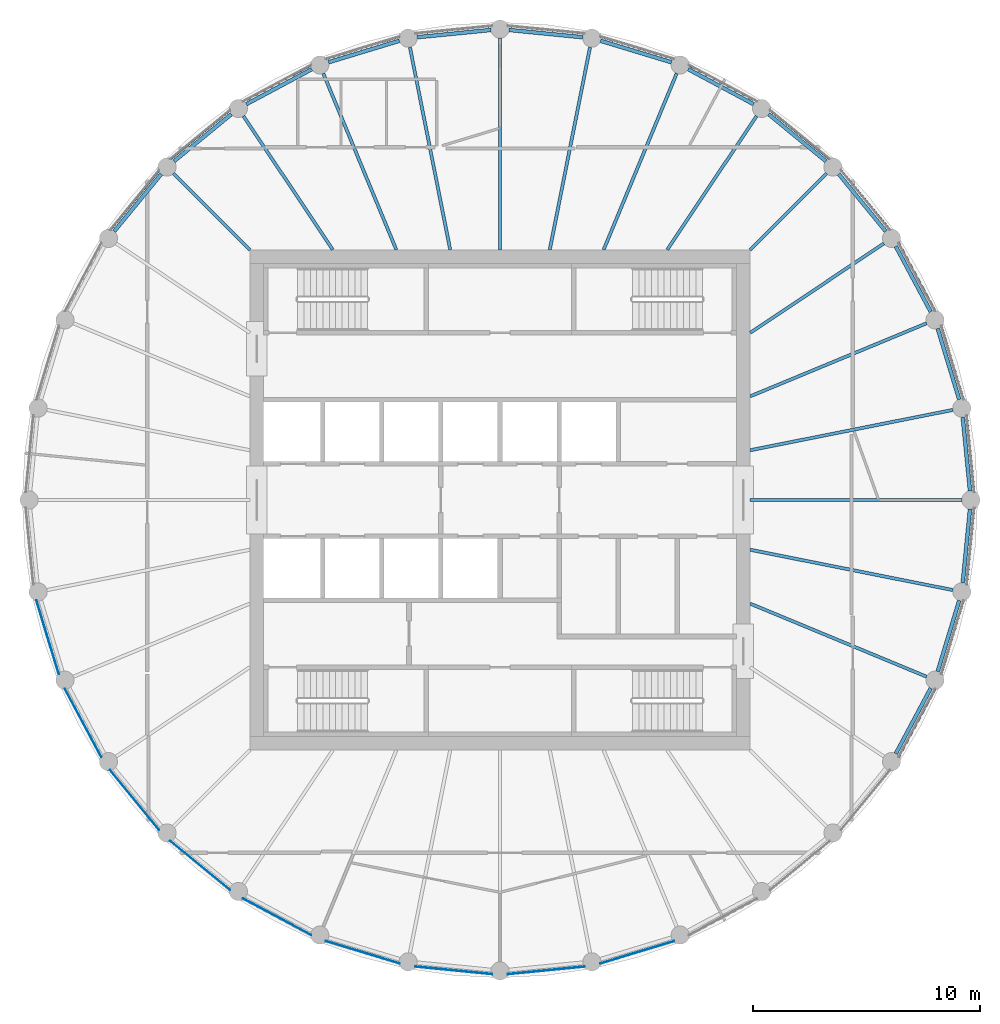
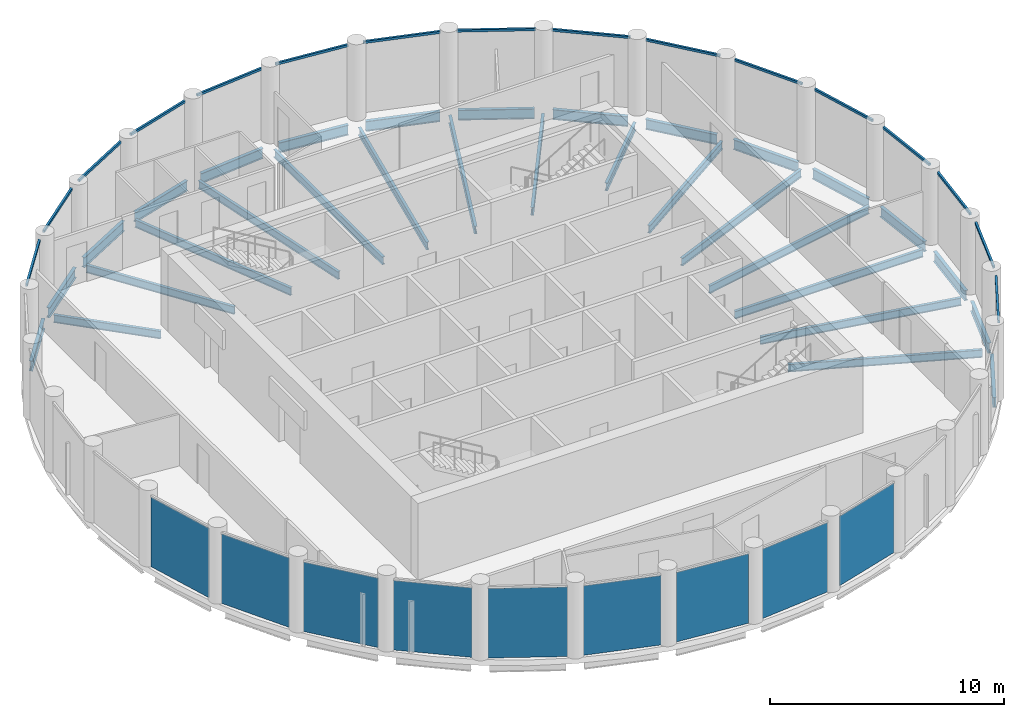
# One storey, part 2 of 7: 31 beams, 16 members, 9 plates, 25 elements without a shape of their own.
"""IFC4 building model written with IfcOpenShell, lengths in metres."""

from ifc_helpers import new_model, si_unit, direction, frame, origin, origin_2d, place, context, subcontext, project, spatial, rectangle, i_section, extrude, material, layer, layer_set, material_profile, profile_set, type_object, element, aggregate, save


model = new_model("IFC4")

# Units and contexts
model_context = context("Model", 3, precision=1e-05, world=origin(), true_north=direction((0.0, 1.0)))
body_context = subcontext(model_context, "Body", "Model", "MODEL_VIEW")
ifc_project = project(units=[si_unit("LENGTHUNIT", "METRE"), si_unit("AREAUNIT", "SQUARE_METRE"), si_unit("VOLUMEUNIT", "CUBIC_METRE"), si_unit("PLANEANGLEUNIT", "RADIAN"), si_unit("MASSUNIT", "GRAM", prefix="KILO")], contexts=[model_context])

# Site, building, storey
site_placement = place(None, origin())
site = spatial("IfcSite", under=ifc_project, at=site_placement, CompositionType="ELEMENT")
building_placement = place(site_placement, origin())
building = spatial("IfcBuilding", under=site, at=building_placement, Name="Corvane Civic Tower", CompositionType="ELEMENT")
storey_placement = place(building_placement, frame((0.0, 0.0, 364.5)))
storey = spatial("IfcBuildingStorey", under=building, at=storey_placement, Name="L87", CompositionType="ELEMENT", Elevation=364.5)

# Beams
ifc_material_1 = material(Name="Steel ASTM A992 Gr 50", Category="steel")
ifc_material_profile_1 = material_profile(ifc_material_1, i_section(OverallWidth=0.165771484375, OverallDepth=0.5283203125, WebThickness=0.009765625, FlangeThickness=0.013671875, at=origin_2d()), Name="W21X50")
ifc_profile_set_1 = profile_set([ifc_material_profile_1], Name="Steel ASTM A992 Gr 50")
beam_type_1 = type_object("IfcBeamType", Name="EDGE BEAM W21X50", PredefinedType="BEAM", material=ifc_profile_set_1)
beam_1_placement = place(storey_placement, frame((0.39794921875, 20.66064453125, -0.564208984375), z_axis=(0.995192503142, -0.097938152369, 0.0), x_axis=(0.097938152369, 0.995192503142, 0.0)))
element("IfcBeam", 1, at=beam_1_placement, inside=storey, type_object=beam_type_1, Name="BM-L87-E01", PredefinedType="BEAM", context=body_context, shape_type="SweptSolid", body=[
    extrude(i_section(OverallWidth=0.165771484375, OverallDepth=0.5283203125, WebThickness=0.009765625, FlangeThickness=0.013671875, at=origin_2d()), origin(), (0.0, 0.0, 1.0), 3.258056640625),
])
for number, where, z_axis, x_axis, name in (
    (2, (4.421142578125, 20.18603515625, -0.564208984375), (0.956955679349, -0.290234091317, 0.0), (0.290234091317, 0.956955679349, 0.0), "BM-L87-E02"),
    (3, (8.2744140625, 18.935791015625, -0.564208984375), (0.881894065907, -0.471447618, 0.0), (0.471447618, 0.881894065907, 0.0), "BM-L87-E03"),
    (4, (11.8095703125, 16.957763671875, -0.564208984375), (0.772984791903, -0.634424551454, 0.0), (0.634424551454, 0.772984791903, 0.0), "BM-L87-E04"),
    (5, (14.890869140625, 14.327880859375, -0.564208984375), (0.634424551454, -0.772984791903, 0.0), (0.772984791903, 0.634424551454, 0.0), "BM-L87-E05"),
    (6, (17.39990234375, 11.1474609375, -0.564208984375), (0.471447618, -0.881894065907, 0.0), (0.881894065907, 0.471447618, 0.0), "BM-L87-E06"),
    (7, (19.240478515625, 7.538818359375, -0.564208984375), (0.290234091317, -0.956955679349, 0.0), (0.956955679349, 0.290234091317, 0.0), "BM-L87-E07"),
):
    element("IfcBeam", number, at=place(storey_placement, frame(where, z_axis=z_axis, x_axis=x_axis)), inside=storey, type_object=beam_type_1, Name=name, PredefinedType="BEAM", context=body_context, shape_type="SweptSolid", body=[
        extrude(i_section(OverallWidth=0.165771484375, OverallDepth=0.5283203125, WebThickness=0.009765625, FlangeThickness=0.013671875, at=origin_2d()), origin(), (0.0, 0.0, 1.0), 3.2578125),
    ])
for number, where, z_axis, x_axis, name in (
    (8, (20.341552734375, 3.640380859375, -0.564208984375), (0.097938152369, -0.995192503142, 0.0), (0.995192503142, 0.097938152369, 0.0), "BM-L87-E08"),
    (9, (20.66064453125, -0.39794921875, -0.564208984375), (-0.097938152369, -0.995192503142, 0.0), (0.995192503142, -0.097938152369, 0.0), "BM-L87-E09"),
):
    element("IfcBeam", number, at=place(storey_placement, frame(where, z_axis=z_axis, x_axis=x_axis)), inside=storey, type_object=beam_type_1, Name=name, PredefinedType="BEAM", context=body_context, shape_type="SweptSolid", body=[
        extrude(i_section(OverallWidth=0.165771484375, OverallDepth=0.5283203125, WebThickness=0.009765625, FlangeThickness=0.013671875, at=origin_2d()), origin(), (0.0, 0.0, 1.0), 3.258056640625),
    ])
for number, where, z_axis, x_axis, name in (
    (10, (20.18603515625, -4.421142578125, -0.564208984375), (-0.290234091317, -0.956955679349, 0.0), (0.956955679349, -0.290234091317, 0.0), "BM-L87-E10"),
    (11, (18.935791015625, -8.2744140625, -0.564208984375), (-0.471447618, -0.881894065907, 0.0), (0.881894065907, -0.471447618, 0.0), "BM-L87-E11"),
    (12, (-16.957763671875, 11.8095703125, -0.564208984375), (0.634424551454, 0.772984791903, 0.0), (-0.772984791903, 0.634424551454, 0.0), "BM-L87-E28"),
    (13, (-14.327880859375, 14.890869140625, -0.564208984375), (0.772984791903, 0.634424551454, 0.0), (-0.634424551454, 0.772984791903, 0.0), "BM-L87-E29"),
    (14, (-11.1474609375, 17.39990234375, -0.564208984375), (0.881894065907, 0.471447618, 0.0), (-0.471447618, 0.881894065907, 0.0), "BM-L87-E30"),
    (15, (-7.538818359375, 19.240478515625, -0.564208984375), (0.956955679349, 0.290234091317, 0.0), (-0.290234091317, 0.956955679349, 0.0), "BM-L87-E31"),
):
    element("IfcBeam", number, at=place(storey_placement, frame(where, z_axis=z_axis, x_axis=x_axis)), inside=storey, type_object=beam_type_1, Name=name, PredefinedType="BEAM", context=body_context, shape_type="SweptSolid", body=[
        extrude(i_section(OverallWidth=0.165771484375, OverallDepth=0.5283203125, WebThickness=0.009765625, FlangeThickness=0.013671875, at=origin_2d()), origin(), (0.0, 0.0, 1.0), 3.2578125),
    ])
beam_2_placement = place(storey_placement, frame((-3.640380859375, 20.341552734375, -0.564208984375), z_axis=(0.995192503142, 0.097938152369, 0.0), x_axis=(-0.097938152369, 0.995192503142, 0.0)))
element("IfcBeam", 16, at=beam_2_placement, inside=storey, type_object=beam_type_1, Name="BM-L87-E32", PredefinedType="BEAM", context=body_context, shape_type="SweptSolid", body=[
    extrude(i_section(OverallWidth=0.165771484375, OverallDepth=0.5283203125, WebThickness=0.009765625, FlangeThickness=0.013671875, at=origin_2d()), origin(), (0.0, 0.0, 1.0), 3.258056640625),
])
ifc_material_2 = material(Name="Steel ASTM A992 Gr 50", Category="steel")
ifc_material_profile_2 = material_profile(ifc_material_2, i_section(OverallWidth=0.140380859375, OverallDepth=0.40380859375, WebThickness=0.007080078125, FlangeThickness=0.01123046875, at=origin_2d()), Name="W16X31")
ifc_profile_set_2 = profile_set([ifc_material_profile_2], Name="Steel ASTM A992 Gr 50")
beam_type_2 = type_object("IfcBeamType", Name="FLOOR GIRDER W16X31", PredefinedType="BEAM", material=ifc_profile_set_2)
beam_3_placement = place(storey_placement, frame((0.0, 11.0, -0.501953125), z_axis=(0.0, 1.0, 0.0), x_axis=(-1.0, 0.0, 0.0)))
element("IfcBeam", 17, at=beam_3_placement, inside=storey, type_object=beam_type_2, Name="BM-L87-G01", PredefinedType="BEAM", context=body_context, shape_type="SweptSolid", body=[
    extrude(i_section(OverallWidth=0.140380859375, OverallDepth=0.40380859375, WebThickness=0.007080078125, FlangeThickness=0.01123046875, at=origin_2d()), origin(), (0.0, 0.0, 1.0), 9.300048828125),
])
beam_4_placement = place(storey_placement, frame((2.18798828125, 11.0, -0.501953125), z_axis=(0.195108241061, 0.980781715913, 0.0), x_axis=(-0.980781715913, 0.195108241061, 0.0)))
element("IfcBeam", 18, at=beam_4_placement, inside=storey, type_object=beam_type_2, Name="BM-L87-G02", PredefinedType="BEAM", context=body_context, shape_type="SweptSolid", body=[
    extrude(i_section(OverallWidth=0.140380859375, OverallDepth=0.40380859375, WebThickness=0.007080078125, FlangeThickness=0.01123046875, at=origin_2d()), origin(), (0.0, 0.0, 1.0), 9.08447265625),
])
beam_5_placement = place(storey_placement, frame((4.556396484375, 11.0, -0.501953125), z_axis=(0.382691739894, 0.923876091377, 0.0), x_axis=(-0.923876091377, 0.382691739894, 0.0)))
element("IfcBeam", 19, at=beam_5_placement, inside=storey, type_object=beam_type_2, Name="BM-L87-G03", PredefinedType="BEAM", context=body_context, shape_type="SweptSolid", body=[
    extrude(i_section(OverallWidth=0.140380859375, OverallDepth=0.40380859375, WebThickness=0.007080078125, FlangeThickness=0.01123046875, at=origin_2d()), origin(), (0.0, 0.0, 1.0), 8.3935546875),
])
beam_6_placement = place(storey_placement, frame((7.349853515625, 11.0, -0.501953125), z_axis=(0.555576401385, 0.831465490699, 0.0), x_axis=(-0.831465490699, 0.555576401385, 0.0)))
element("IfcBeam", 20, at=beam_6_placement, inside=storey, type_object=beam_type_2, Name="BM-L87-G04", PredefinedType="BEAM", context=body_context, shape_type="SweptSolid", body=[
    extrude(i_section(OverallWidth=0.140380859375, OverallDepth=0.40380859375, WebThickness=0.007080078125, FlangeThickness=0.01123046875, at=origin_2d()), origin(), (0.0, 0.0, 1.0), 7.070556640625),
])
beam_7_placement = place(storey_placement, frame((11.0, 11.0, -0.501953125), z_axis=(0.707106781187, 0.707106781187, 0.0), x_axis=(-0.707106781187, 0.707106781187, 0.0)))
element("IfcBeam", 21, at=beam_7_placement, inside=storey, type_object=beam_type_2, Name="BM-L87-G05", PredefinedType="BEAM", context=body_context, shape_type="SweptSolid", body=[
    extrude(i_section(OverallWidth=0.140380859375, OverallDepth=0.40380859375, WebThickness=0.007080078125, FlangeThickness=0.01123046875, at=origin_2d()), origin(), (0.0, 0.0, 1.0), 4.74365234375),
])
beam_8_placement = place(storey_placement, frame((11.0, 7.349853515625, -0.501953125), z_axis=(0.831465490699, 0.555576401385, 0.0), x_axis=(-0.555576401385, 0.831465490699, 0.0)))
element("IfcBeam", 22, at=beam_8_placement, inside=storey, type_object=beam_type_2, Name="BM-L87-G06", PredefinedType="BEAM", context=body_context, shape_type="SweptSolid", body=[
    extrude(i_section(OverallWidth=0.140380859375, OverallDepth=0.40380859375, WebThickness=0.007080078125, FlangeThickness=0.01123046875, at=origin_2d()), origin(), (0.0, 0.0, 1.0), 7.070556640625),
])
beam_9_placement = place(storey_placement, frame((11.0, 4.556396484375, -0.501953125), z_axis=(0.923876091377, 0.382691739894, 0.0), x_axis=(-0.382691739894, 0.923876091377, 0.0)))
element("IfcBeam", 23, at=beam_9_placement, inside=storey, type_object=beam_type_2, Name="BM-L87-G07", PredefinedType="BEAM", context=body_context, shape_type="SweptSolid", body=[
    extrude(i_section(OverallWidth=0.140380859375, OverallDepth=0.40380859375, WebThickness=0.007080078125, FlangeThickness=0.01123046875, at=origin_2d()), origin(), (0.0, 0.0, 1.0), 8.3935546875),
])
beam_10_placement = place(storey_placement, frame((11.0, 2.18798828125, -0.501953125), z_axis=(0.980781715913, 0.195108241061, 0.0), x_axis=(-0.195108241061, 0.980781715913, 0.0)))
element("IfcBeam", 24, at=beam_10_placement, inside=storey, type_object=beam_type_2, Name="BM-L87-G08", PredefinedType="BEAM", context=body_context, shape_type="SweptSolid", body=[
    extrude(i_section(OverallWidth=0.140380859375, OverallDepth=0.40380859375, WebThickness=0.007080078125, FlangeThickness=0.01123046875, at=origin_2d()), origin(), (0.0, 0.0, 1.0), 9.08447265625),
])
beam_11_placement = place(storey_placement, frame((11.0, 0.0, -0.501953125), z_axis=(1.0, 0.0, 0.0), x_axis=(0.0, 1.0, 0.0)))
element("IfcBeam", 25, at=beam_11_placement, inside=storey, type_object=beam_type_2, Name="BM-L87-G09", PredefinedType="BEAM", context=body_context, shape_type="SweptSolid", body=[
    extrude(i_section(OverallWidth=0.140380859375, OverallDepth=0.40380859375, WebThickness=0.007080078125, FlangeThickness=0.01123046875, at=origin_2d()), origin(), (0.0, 0.0, 1.0), 9.300048828125),
])
beam_12_placement = place(storey_placement, frame((11.0, -2.18798828125, -0.501953125), z_axis=(0.980781715913, -0.195108241061, 0.0), x_axis=(0.195108241061, 0.980781715913, 0.0)))
element("IfcBeam", 26, at=beam_12_placement, inside=storey, type_object=beam_type_2, Name="BM-L87-G10", PredefinedType="BEAM", context=body_context, shape_type="SweptSolid", body=[
    extrude(i_section(OverallWidth=0.140380859375, OverallDepth=0.40380859375, WebThickness=0.007080078125, FlangeThickness=0.01123046875, at=origin_2d()), origin(), (0.0, 0.0, 1.0), 9.08447265625),
])
beam_13_placement = place(storey_placement, frame((11.0, -4.556396484375, -0.501953125), z_axis=(0.923876091377, -0.382691739894, 0.0), x_axis=(0.382691739894, 0.923876091377, 0.0)))
element("IfcBeam", 27, at=beam_13_placement, inside=storey, type_object=beam_type_2, Name="BM-L87-G11", PredefinedType="BEAM", context=body_context, shape_type="SweptSolid", body=[
    extrude(i_section(OverallWidth=0.140380859375, OverallDepth=0.40380859375, WebThickness=0.007080078125, FlangeThickness=0.01123046875, at=origin_2d()), origin(), (0.0, 0.0, 1.0), 8.3935546875),
])
beam_14_placement = place(storey_placement, frame((-11.0, 11.0, -0.501953125), z_axis=(-0.707106781187, 0.707106781187, 0.0), x_axis=(-0.707106781187, -0.707106781187, 0.0)))
element("IfcBeam", 28, at=beam_14_placement, inside=storey, type_object=beam_type_2, Name="BM-L87-G29", PredefinedType="BEAM", context=body_context, shape_type="SweptSolid", body=[
    extrude(i_section(OverallWidth=0.140380859375, OverallDepth=0.40380859375, WebThickness=0.007080078125, FlangeThickness=0.01123046875, at=origin_2d()), origin(), (0.0, 0.0, 1.0), 4.74365234375),
])
beam_15_placement = place(storey_placement, frame((-7.349853515625, 11.0, -0.501953125), z_axis=(-0.555576401385, 0.831465490699, 0.0), x_axis=(-0.831465490699, -0.555576401385, 0.0)))
element("IfcBeam", 29, at=beam_15_placement, inside=storey, type_object=beam_type_2, Name="BM-L87-G30", PredefinedType="BEAM", context=body_context, shape_type="SweptSolid", body=[
    extrude(i_section(OverallWidth=0.140380859375, OverallDepth=0.40380859375, WebThickness=0.007080078125, FlangeThickness=0.01123046875, at=origin_2d()), origin(), (0.0, 0.0, 1.0), 7.070556640625),
])
beam_16_placement = place(storey_placement, frame((-4.556396484375, 11.0, -0.501953125), z_axis=(-0.382691739894, 0.923876091377, 0.0), x_axis=(-0.923876091377, -0.382691739894, 0.0)))
element("IfcBeam", 30, at=beam_16_placement, inside=storey, type_object=beam_type_2, Name="BM-L87-G31", PredefinedType="BEAM", context=body_context, shape_type="SweptSolid", body=[
    extrude(i_section(OverallWidth=0.140380859375, OverallDepth=0.40380859375, WebThickness=0.007080078125, FlangeThickness=0.01123046875, at=origin_2d()), origin(), (0.0, 0.0, 1.0), 8.3935546875),
])
beam_17_placement = place(storey_placement, frame((-2.18798828125, 11.0, -0.501953125), z_axis=(-0.195108241061, 0.980781715913, 0.0), x_axis=(-0.980781715913, -0.195108241061, 0.0)))
element("IfcBeam", 31, at=beam_17_placement, inside=storey, type_object=beam_type_2, Name="BM-L87-G32", PredefinedType="BEAM", context=body_context, shape_type="SweptSolid", body=[
    extrude(i_section(OverallWidth=0.140380859375, OverallDepth=0.40380859375, WebThickness=0.007080078125, FlangeThickness=0.01123046875, at=origin_2d()), origin(), (0.0, 0.0, 1.0), 9.08447265625),
])

# Curtain wall, member
ifc_material_3 = material(Name="Anodised aluminium bronze", Category="aluminium")
curtain_wall_type = type_object("IfcCurtainWallType", Name="TOWER CW-T3 STICK CURTAIN WALL", PredefinedType="NOTDEFINED", material=ifc_material_3)
curtain_wall_1_placement = place(storey_placement, origin())
curtain_wall_1 = element("IfcCurtainWall", 32, at=curtain_wall_1_placement, inside=storey, type_object=curtain_wall_type, Name="Curtain wall CW-T3 L87 bay 01", PredefinedType="NOTDEFINED")
ifc_material_4 = material(Name="Anodised aluminium bronze", Category="aluminium")
ifc_material_profile_3 = material_profile(ifc_material_4, rectangle(XDim=0.10009765625, YDim=0.1201171875, at=origin_2d()), Name="TOWER CW-T3 TRANSOM 100x120")
ifc_profile_set_3 = profile_set([ifc_material_profile_3], Name="Anodised aluminium bronze")
member_type = type_object("IfcMemberType", Name="TOWER CW-T3 TRANSOM 100x120", PredefinedType="USERDEFINED", material=ifc_profile_set_3)
member_1_placement = place(storey_placement, frame((0.34375, 20.845947265625, 3.68994140625), z_axis=(0.995191564676, -0.097947688066, 0.0), x_axis=(0.097947688066, 0.995191564676, 0.0)))
member_1 = element("IfcMember", 33, at=member_1_placement, type_object=member_type, Name="Transom CW-T3 L87 01.1", ObjectType="TRANSOM", PredefinedType="USERDEFINED", context=body_context, shape_type="SweptSolid", body=[
    extrude(rectangle(XDim=0.10009765625, YDim=0.1201171875, at=origin_2d()), origin(), (0.0, 0.0, 1.0), 3.40234375),
])
aggregate(curtain_wall_1, [member_1])

curtain_wall_2_placement = place(storey_placement, origin())
curtain_wall_2 = element("IfcCurtainWall", 34, at=curtain_wall_2_placement, inside=storey, type_object=curtain_wall_type, Name="Curtain wall CW-T3 L87 bay 02", PredefinedType="NOTDEFINED")
member_2_placement = place(storey_placement, frame((4.40380859375, 20.37841796875, 3.68994140625), z_axis=(0.956961022204, -0.290216474345, 0.0), x_axis=(0.290216474345, 0.956961022204, 0.0)))
member_2 = element("IfcMember", 35, at=member_2_placement, type_object=member_type, Name="Transom CW-T3 L87 02.1", ObjectType="TRANSOM", PredefinedType="USERDEFINED", context=body_context, shape_type="SweptSolid", body=[
    extrude(rectangle(XDim=0.10009765625, YDim=0.1201171875, at=origin_2d()), origin(), (0.0, 0.0, 1.0), 3.40283203125),
])
aggregate(curtain_wall_2, [member_2])

curtain_wall_3_placement = place(storey_placement, origin())
curtain_wall_3 = element("IfcCurtainWall", 36, at=curtain_wall_3_placement, inside=storey, type_object=curtain_wall_type, Name="Curtain wall CW-T3 L87 bay 03", PredefinedType="NOTDEFINED")
member_3_placement = place(storey_placement, frame((8.294921875, 19.127685546875, 3.68994140625), z_axis=(0.881941440444, -0.471358988063, 0.0), x_axis=(0.471358988063, 0.881941440444, 0.0)))
member_3 = element("IfcMember", 37, at=member_3_placement, type_object=member_type, Name="Transom CW-T3 L87 03.1", ObjectType="TRANSOM", PredefinedType="USERDEFINED", context=body_context, shape_type="SweptSolid", body=[
    extrude(rectangle(XDim=0.10009765625, YDim=0.1201171875, at=origin_2d()), origin(), (0.0, 0.0, 1.0), 3.40234375),
])
aggregate(curtain_wall_3, [member_3])

curtain_wall_4_placement = place(storey_placement, origin())
curtain_wall_4 = element("IfcCurtainWall", 38, at=curtain_wall_4_placement, inside=storey, type_object=curtain_wall_type, Name="Curtain wall CW-T3 L87 bay 04", PredefinedType="NOTDEFINED")
member_4_placement = place(storey_placement, frame((11.8671875, 17.14208984375, 3.68994140625), z_axis=(0.773010217358, -0.634393571736, 0.0), x_axis=(0.634393571736, 0.773010217358, 0.0)))
member_4 = element("IfcMember", 39, at=member_4_placement, type_object=member_type, Name="Transom CW-T3 L87 04.1", ObjectType="TRANSOM", PredefinedType="USERDEFINED", context=body_context, shape_type="SweptSolid", body=[
    extrude(rectangle(XDim=0.10009765625, YDim=0.1201171875, at=origin_2d()), origin(), (0.0, 0.0, 1.0), 3.40283203125),
])
aggregate(curtain_wall_4, [member_4])

curtain_wall_5_placement = place(storey_placement, origin())
curtain_wall_5 = element("IfcCurtainWall", 40, at=curtain_wall_5_placement, inside=storey, type_object=curtain_wall_type, Name="Curtain wall CW-T3 L87 bay 05", PredefinedType="NOTDEFINED")
member_5_placement = place(storey_placement, frame((14.9833984375, 14.49755859375, 3.68994140625), z_axis=(0.634393571736, -0.773010217358, 0.0), x_axis=(0.773010217358, 0.634393571736, 0.0)))
member_5 = element("IfcMember", 41, at=member_5_placement, type_object=member_type, Name="Transom CW-T3 L87 05.1", ObjectType="TRANSOM", PredefinedType="USERDEFINED", context=body_context, shape_type="SweptSolid", body=[
    extrude(rectangle(XDim=0.10009765625, YDim=0.1201171875, at=origin_2d()), origin(), (0.0, 0.0, 1.0), 3.40283203125),
])
aggregate(curtain_wall_5, [member_5])

curtain_wall_6_placement = place(storey_placement, origin())
curtain_wall_6 = element("IfcCurtainWall", 42, at=curtain_wall_6_placement, inside=storey, type_object=curtain_wall_type, Name="Curtain wall CW-T3 L87 bay 06", PredefinedType="NOTDEFINED")
member_6_placement = place(storey_placement, frame((17.52392578125, 11.295654296875, 3.68994140625), z_axis=(0.471358988063, -0.881941440444, 0.0), x_axis=(0.881941440444, 0.471358988063, 0.0)))
member_6 = element("IfcMember", 43, at=member_6_placement, type_object=member_type, Name="Transom CW-T3 L87 06.1", ObjectType="TRANSOM", PredefinedType="USERDEFINED", context=body_context, shape_type="SweptSolid", body=[
    extrude(rectangle(XDim=0.10009765625, YDim=0.1201171875, at=origin_2d()), origin(), (0.0, 0.0, 1.0), 3.40234375),
])
aggregate(curtain_wall_6, [member_6])

curtain_wall_7_placement = place(storey_placement, origin())
curtain_wall_7 = element("IfcCurtainWall", 44, at=curtain_wall_7_placement, inside=storey, type_object=curtain_wall_type, Name="Curtain wall CW-T3 L87 bay 07", PredefinedType="NOTDEFINED")
member_7_placement = place(storey_placement, frame((19.390869140625, 7.66015625, 3.68994140625), z_axis=(0.290216474345, -0.956961022204, 0.0), x_axis=(0.956961022204, 0.290216474345, 0.0)))
member_7 = element("IfcMember", 45, at=member_7_placement, type_object=member_type, Name="Transom CW-T3 L87 07.1", ObjectType="TRANSOM", PredefinedType="USERDEFINED", context=body_context, shape_type="SweptSolid", body=[
    extrude(rectangle(XDim=0.10009765625, YDim=0.1201171875, at=origin_2d()), origin(), (0.0, 0.0, 1.0), 3.40283203125),
])
aggregate(curtain_wall_7, [member_7])

curtain_wall_8_placement = place(storey_placement, origin())
curtain_wall_8 = element("IfcCurtainWall", 46, at=curtain_wall_8_placement, inside=storey, type_object=curtain_wall_type, Name="Curtain wall CW-T3 L87 bay 08", PredefinedType="NOTDEFINED")
member_8_placement = place(storey_placement, frame((20.5126953125, 3.729736328125, 3.68994140625), z_axis=(0.097947688066, -0.995191564676, 0.0), x_axis=(0.995191564676, 0.097947688066, 0.0)))
member_8 = element("IfcMember", 47, at=member_8_placement, type_object=member_type, Name="Transom CW-T3 L87 08.1", ObjectType="TRANSOM", PredefinedType="USERDEFINED", context=body_context, shape_type="SweptSolid", body=[
    extrude(rectangle(XDim=0.10009765625, YDim=0.1201171875, at=origin_2d()), origin(), (0.0, 0.0, 1.0), 3.40234375),
])
aggregate(curtain_wall_8, [member_8])

curtain_wall_9_placement = place(storey_placement, origin())
curtain_wall_9 = element("IfcCurtainWall", 48, at=curtain_wall_9_placement, inside=storey, type_object=curtain_wall_type, Name="Curtain wall CW-T3 L87 bay 09", PredefinedType="NOTDEFINED")
member_9_placement = place(storey_placement, frame((20.845947265625, -0.34375, 3.68994140625), z_axis=(-0.097947688066, -0.995191564676, 0.0), x_axis=(0.995191564676, -0.097947688066, 0.0)))
member_9 = element("IfcMember", 49, at=member_9_placement, type_object=member_type, Name="Transom CW-T3 L87 09.1", ObjectType="TRANSOM", PredefinedType="USERDEFINED", context=body_context, shape_type="SweptSolid", body=[
    extrude(rectangle(XDim=0.10009765625, YDim=0.1201171875, at=origin_2d()), origin(), (0.0, 0.0, 1.0), 3.40234375),
])
aggregate(curtain_wall_9, [member_9])

curtain_wall_10_placement = place(storey_placement, origin())
curtain_wall_10 = element("IfcCurtainWall", 50, at=curtain_wall_10_placement, inside=storey, type_object=curtain_wall_type, Name="Curtain wall CW-T3 L87 bay 10", PredefinedType="NOTDEFINED")
member_10_placement = place(storey_placement, frame((20.37841796875, -4.40380859375, 3.68994140625), z_axis=(-0.290216474345, -0.956961022204, 0.0), x_axis=(0.956961022204, -0.290216474345, 0.0)))
member_10 = element("IfcMember", 51, at=member_10_placement, type_object=member_type, Name="Transom CW-T3 L87 10.1", ObjectType="TRANSOM", PredefinedType="USERDEFINED", context=body_context, shape_type="SweptSolid", body=[
    extrude(rectangle(XDim=0.10009765625, YDim=0.1201171875, at=origin_2d()), origin(), (0.0, 0.0, 1.0), 3.40283203125),
])
aggregate(curtain_wall_10, [member_10])

curtain_wall_11_placement = place(storey_placement, origin())
curtain_wall_11 = element("IfcCurtainWall", 52, at=curtain_wall_11_placement, inside=storey, type_object=curtain_wall_type, Name="Curtain wall CW-T3 L87 bay 11", PredefinedType="NOTDEFINED")
member_11_placement = place(storey_placement, frame((19.127685546875, -8.294921875, 3.68994140625), z_axis=(-0.471358988063, -0.881941440444, 0.0), x_axis=(0.881941440444, -0.471358988063, 0.0)))
member_11 = element("IfcMember", 53, at=member_11_placement, type_object=member_type, Name="Transom CW-T3 L87 11.1", ObjectType="TRANSOM", PredefinedType="USERDEFINED", context=body_context, shape_type="SweptSolid", body=[
    extrude(rectangle(XDim=0.10009765625, YDim=0.1201171875, at=origin_2d()), origin(), (0.0, 0.0, 1.0), 3.40234375),
])
aggregate(curtain_wall_11, [member_11])

curtain_wall_12_placement = place(storey_placement, origin())
curtain_wall_12 = element("IfcCurtainWall", 54, at=curtain_wall_12_placement, inside=storey, type_object=curtain_wall_type, Name="Curtain wall CW-T3 L87 bay 28", PredefinedType="NOTDEFINED")
member_12_placement = place(storey_placement, frame((-17.14208984375, 11.8671875, 3.68994140625), z_axis=(0.634393571736, 0.773010217358, 0.0), x_axis=(-0.773010217358, 0.634393571736, 0.0)))
member_12 = element("IfcMember", 55, at=member_12_placement, type_object=member_type, Name="Transom CW-T3 L87 28.1", ObjectType="TRANSOM", PredefinedType="USERDEFINED", context=body_context, shape_type="SweptSolid", body=[
    extrude(rectangle(XDim=0.10009765625, YDim=0.1201171875, at=origin_2d()), origin(), (0.0, 0.0, 1.0), 3.40283203125),
])
aggregate(curtain_wall_12, [member_12])

curtain_wall_13_placement = place(storey_placement, origin())
curtain_wall_13 = element("IfcCurtainWall", 56, at=curtain_wall_13_placement, inside=storey, type_object=curtain_wall_type, Name="Curtain wall CW-T3 L87 bay 29", PredefinedType="NOTDEFINED")
member_13_placement = place(storey_placement, frame((-14.49755859375, 14.9833984375, 3.68994140625), z_axis=(0.773010217358, 0.634393571736, 0.0), x_axis=(-0.634393571736, 0.773010217358, 0.0)))
member_13 = element("IfcMember", 57, at=member_13_placement, type_object=member_type, Name="Transom CW-T3 L87 29.1", ObjectType="TRANSOM", PredefinedType="USERDEFINED", context=body_context, shape_type="SweptSolid", body=[
    extrude(rectangle(XDim=0.10009765625, YDim=0.1201171875, at=origin_2d()), origin(), (0.0, 0.0, 1.0), 3.40283203125),
])
aggregate(curtain_wall_13, [member_13])

curtain_wall_14_placement = place(storey_placement, origin())
curtain_wall_14 = element("IfcCurtainWall", 58, at=curtain_wall_14_placement, inside=storey, type_object=curtain_wall_type, Name="Curtain wall CW-T3 L87 bay 30", PredefinedType="NOTDEFINED")
member_14_placement = place(storey_placement, frame((-11.295654296875, 17.52392578125, 3.68994140625), z_axis=(0.881941440444, 0.471358988063, 0.0), x_axis=(-0.471358988063, 0.881941440444, 0.0)))
member_14 = element("IfcMember", 59, at=member_14_placement, type_object=member_type, Name="Transom CW-T3 L87 30.1", ObjectType="TRANSOM", PredefinedType="USERDEFINED", context=body_context, shape_type="SweptSolid", body=[
    extrude(rectangle(XDim=0.10009765625, YDim=0.1201171875, at=origin_2d()), origin(), (0.0, 0.0, 1.0), 3.40234375),
])
aggregate(curtain_wall_14, [member_14])

curtain_wall_15_placement = place(storey_placement, origin())
curtain_wall_15 = element("IfcCurtainWall", 60, at=curtain_wall_15_placement, inside=storey, type_object=curtain_wall_type, Name="Curtain wall CW-T3 L87 bay 31", PredefinedType="NOTDEFINED")
member_15_placement = place(storey_placement, frame((-7.66015625, 19.390869140625, 3.68994140625), z_axis=(0.956961022204, 0.290216474345, 0.0), x_axis=(-0.290216474345, 0.956961022204, 0.0)))
member_15 = element("IfcMember", 61, at=member_15_placement, type_object=member_type, Name="Transom CW-T3 L87 31.1", ObjectType="TRANSOM", PredefinedType="USERDEFINED", context=body_context, shape_type="SweptSolid", body=[
    extrude(rectangle(XDim=0.10009765625, YDim=0.1201171875, at=origin_2d()), origin(), (0.0, 0.0, 1.0), 3.40283203125),
])
aggregate(curtain_wall_15, [member_15])

curtain_wall_16_placement = place(storey_placement, origin())
curtain_wall_16 = element("IfcCurtainWall", 62, at=curtain_wall_16_placement, inside=storey, type_object=curtain_wall_type, Name="Curtain wall CW-T3 L87 bay 32", PredefinedType="NOTDEFINED")
member_16_placement = place(storey_placement, frame((-3.729736328125, 20.5126953125, 3.68994140625), z_axis=(0.995191564676, 0.097947688066, 0.0), x_axis=(-0.097947688066, 0.995191564676, 0.0)))
member_16 = element("IfcMember", 63, at=member_16_placement, type_object=member_type, Name="Transom CW-T3 L87 32.1", ObjectType="TRANSOM", PredefinedType="USERDEFINED", context=body_context, shape_type="SweptSolid", body=[
    extrude(rectangle(XDim=0.10009765625, YDim=0.1201171875, at=origin_2d()), origin(), (0.0, 0.0, 1.0), 3.40234375),
])
aggregate(curtain_wall_16, [member_16])

# Curtain wall, plate
curtain_wall_17_placement = place(storey_placement, origin())
curtain_wall_17 = element("IfcCurtainWall", 64, at=curtain_wall_17_placement, inside=storey, type_object=curtain_wall_type, Name="Curtain wall CW-T3 L87 bay 15", PredefinedType="NOTDEFINED")
ifc_material_5 = material(Name="Tinted glass", Category="glass")
ifc_layer = layer(ifc_material_5, 0.028076171875)
ifc_layer_set = layer_set([ifc_layer], Name="Tinted glass")
plate_type = type_object("IfcPlateType", Name="TOWER CW-T3 PANEL IGU28", PredefinedType="CURTAIN_PANEL", material=ifc_layer_set)
plate_1_placement = place(storey_placement, frame((6.031982421875, -19.884765625, 0.0), z_axis=(0.0, 0.0, 1.0), x_axis=(-0.956938582641, -0.290290456359, 0.0)))
plate_1 = element("IfcPlate", 65, at=plate_1_placement, type_object=plate_type, Name="Glass panel CW-T3 L87 15.1", PredefinedType="CURTAIN_PANEL", context=body_context, shape_type="SweptSolid", body=[
    extrude(rectangle(XDim=3.40283203125, YDim=0.028076171875, at=origin_2d()), origin(), (0.0, 0.0, 1.0), 3.6298828125),
])
aggregate(curtain_wall_17, [plate_1])

curtain_wall_18_placement = place(storey_placement, origin())
curtain_wall_18 = element("IfcCurtainWall", 66, at=curtain_wall_18_placement, inside=storey, type_object=curtain_wall_type, Name="Curtain wall CW-T3 L87 bay 16", PredefinedType="NOTDEFINED")
plate_2_placement = place(storey_placement, frame((2.03662109375, -20.679443359375, 0.0), z_axis=(0.0, 0.0, 1.0), x_axis=(-0.995186641028, -0.097997701601, 0.0)))
plate_2 = element("IfcPlate", 67, at=plate_2_placement, type_object=plate_type, Name="Glass panel CW-T3 L87 16.1", PredefinedType="CURTAIN_PANEL", context=body_context, shape_type="SweptSolid", body=[
    extrude(rectangle(XDim=3.402587890625, YDim=0.028076171875, at=origin_2d()), origin(), (0.0, 0.0, 1.0), 3.6298828125),
])
aggregate(curtain_wall_18, [plate_2])

curtain_wall_19_placement = place(storey_placement, origin())
curtain_wall_19 = element("IfcCurtainWall", 68, at=curtain_wall_19_placement, inside=storey, type_object=curtain_wall_type, Name="Curtain wall CW-T3 L87 bay 17", PredefinedType="NOTDEFINED")
plate_3_placement = place(storey_placement, frame((-2.03662109375, -20.679443359375, 0.0), z_axis=(0.0, 0.0, 1.0), x_axis=(-0.995186641028, 0.097997701601, 0.0)))
plate_3 = element("IfcPlate", 69, at=plate_3_placement, type_object=plate_type, Name="Glass panel CW-T3 L87 17.1", PredefinedType="CURTAIN_PANEL", context=body_context, shape_type="SweptSolid", body=[
    extrude(rectangle(XDim=3.402587890625, YDim=0.028076171875, at=origin_2d()), origin(), (0.0, 0.0, 1.0), 3.6298828125),
])
aggregate(curtain_wall_19, [plate_3])

curtain_wall_20_placement = place(storey_placement, origin())
curtain_wall_20 = element("IfcCurtainWall", 70, at=curtain_wall_20_placement, inside=storey, type_object=curtain_wall_type, Name="Curtain wall CW-T3 L87 bay 18", PredefinedType="NOTDEFINED")
plate_4_placement = place(storey_placement, frame((-6.031982421875, -19.884765625, 0.0), z_axis=(0.0, 0.0, 1.0), x_axis=(-0.956938582641, 0.290290456359, 0.0)))
plate_4 = element("IfcPlate", 71, at=plate_4_placement, type_object=plate_type, Name="Glass panel CW-T3 L87 18.1", PredefinedType="CURTAIN_PANEL", context=body_context, shape_type="SweptSolid", body=[
    extrude(rectangle(XDim=3.40283203125, YDim=0.028076171875, at=origin_2d()), origin(), (0.0, 0.0, 1.0), 3.6298828125),
])
aggregate(curtain_wall_20, [plate_4])

curtain_wall_21_placement = place(storey_placement, origin())
curtain_wall_21 = element("IfcCurtainWall", 72, at=curtain_wall_21_placement, inside=storey, type_object=curtain_wall_type, Name="Curtain wall CW-T3 L87 bay 19", PredefinedType="NOTDEFINED")
plate_5_placement = place(storey_placement, frame((-9.79541015625, -18.325927734375, 0.0), z_axis=(0.0, 0.0, 1.0), x_axis=(-0.88192824848, 0.471383670202, 0.0)))
plate_5 = element("IfcPlate", 73, at=plate_5_placement, type_object=plate_type, Name="Glass panel CW-T3 L87 19.1", PredefinedType="CURTAIN_PANEL", context=body_context, shape_type="SweptSolid", body=[
    extrude(rectangle(XDim=3.40234375, YDim=0.028076171875, at=origin_2d()), origin(), (0.0, 0.0, 1.0), 3.6298828125),
])
aggregate(curtain_wall_21, [plate_5])

curtain_wall_22_placement = place(storey_placement, origin())
curtain_wall_22 = element("IfcCurtainWall", 74, at=curtain_wall_22_placement, inside=storey, type_object=curtain_wall_type, Name="Curtain wall CW-T3 L87 bay 20", PredefinedType="NOTDEFINED")
plate_6_placement = place(storey_placement, frame((-13.182373046875, -16.062744140625, 0.0), z_axis=(0.0, 0.0, 1.0), x_axis=(-0.773010369391, 0.634393386484, 0.0)))
plate_6 = element("IfcPlate", 75, at=plate_6_placement, type_object=plate_type, Name="Glass panel CW-T3 L87 20.1", PredefinedType="CURTAIN_PANEL", context=body_context, shape_type="SweptSolid", body=[
    extrude(rectangle(XDim=3.402587890625, YDim=0.028076171875, at=origin_2d()), origin(), (0.0, 0.0, 1.0), 3.6298828125),
])
aggregate(curtain_wall_22, [plate_6])

curtain_wall_23_placement = place(storey_placement, origin())
curtain_wall_23 = element("IfcCurtainWall", 76, at=curtain_wall_23_placement, inside=storey, type_object=curtain_wall_type, Name="Curtain wall CW-T3 L87 bay 21", PredefinedType="NOTDEFINED")
plate_7_placement = place(storey_placement, frame((-16.062744140625, -13.182373046875, 0.0), z_axis=(0.0, 0.0, 1.0), x_axis=(-0.634393386484, 0.773010369391, 0.0)))
plate_7 = element("IfcPlate", 77, at=plate_7_placement, type_object=plate_type, Name="Glass panel CW-T3 L87 21.1", PredefinedType="CURTAIN_PANEL", context=body_context, shape_type="SweptSolid", body=[
    extrude(rectangle(XDim=3.402587890625, YDim=0.028076171875, at=origin_2d()), origin(), (0.0, 0.0, 1.0), 3.6298828125),
])
aggregate(curtain_wall_23, [plate_7])

curtain_wall_24_placement = place(storey_placement, origin())
curtain_wall_24 = element("IfcCurtainWall", 78, at=curtain_wall_24_placement, inside=storey, type_object=curtain_wall_type, Name="Curtain wall CW-T3 L87 bay 22", PredefinedType="NOTDEFINED")
plate_8_placement = place(storey_placement, frame((-18.325927734375, -9.79541015625, 0.0), z_axis=(0.0, 0.0, 1.0), x_axis=(-0.471383670202, 0.88192824848, 0.0)))
plate_8 = element("IfcPlate", 79, at=plate_8_placement, type_object=plate_type, Name="Glass panel CW-T3 L87 22.1", PredefinedType="CURTAIN_PANEL", context=body_context, shape_type="SweptSolid", body=[
    extrude(rectangle(XDim=3.40234375, YDim=0.028076171875, at=origin_2d()), origin(), (0.0, 0.0, 1.0), 3.6298828125),
])
aggregate(curtain_wall_24, [plate_8])

curtain_wall_25_placement = place(storey_placement, origin())
curtain_wall_25 = element("IfcCurtainWall", 80, at=curtain_wall_25_placement, inside=storey, type_object=curtain_wall_type, Name="Curtain wall CW-T3 L87 bay 23", PredefinedType="NOTDEFINED")
plate_9_placement = place(storey_placement, frame((-19.884765625, -6.031982421875, 0.0), z_axis=(0.0, 0.0, 1.0), x_axis=(-0.290290456359, 0.956938582641, 0.0)))
plate_9 = element("IfcPlate", 81, at=plate_9_placement, type_object=plate_type, Name="Glass panel CW-T3 L87 23.1", PredefinedType="CURTAIN_PANEL", context=body_context, shape_type="SweptSolid", body=[
    extrude(rectangle(XDim=3.40283203125, YDim=0.028076171875, at=origin_2d()), origin(), (0.0, 0.0, 1.0), 3.6298828125),
])
aggregate(curtain_wall_25, [plate_9])

save(model, "model.ifc")
